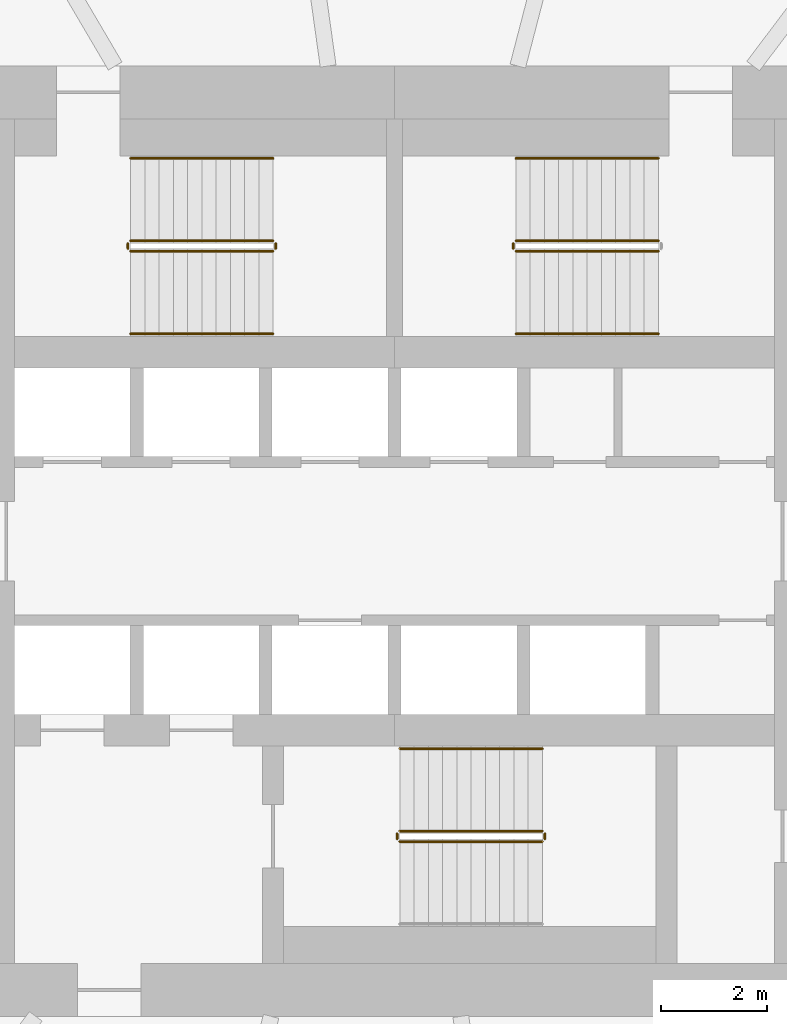
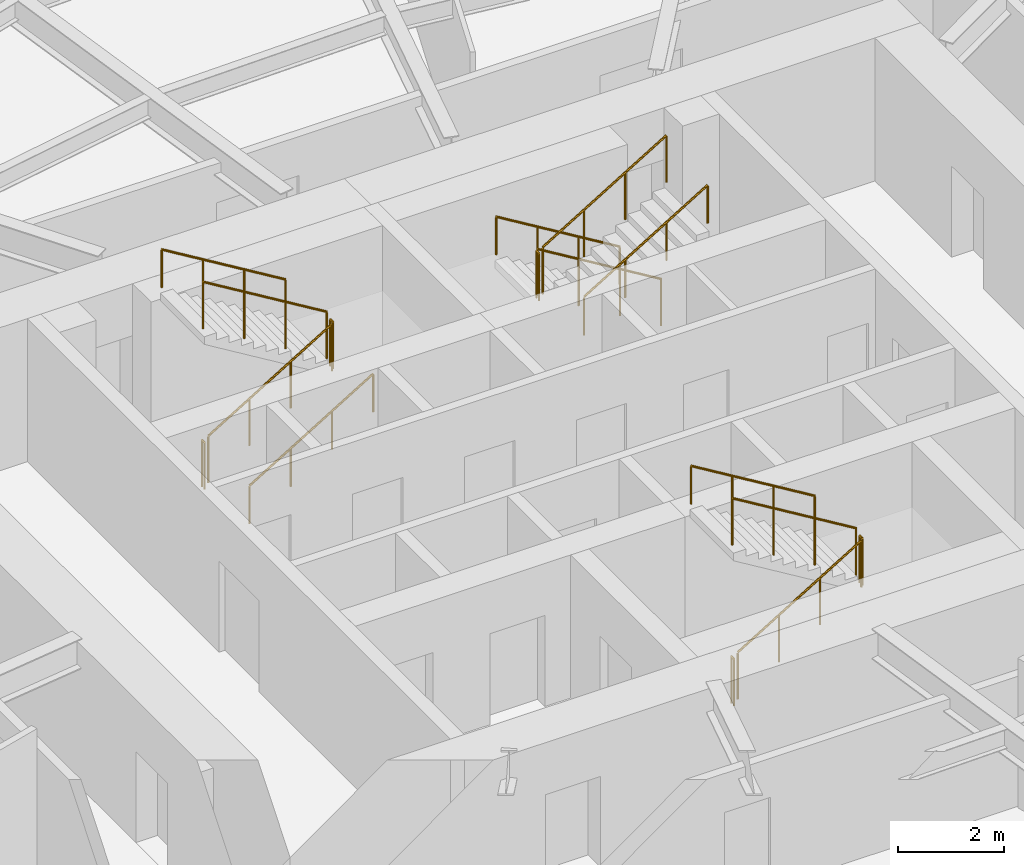
# One storey, part 13 of 16: 16 railings.
"""IFC4 building model written with IfcOpenShell, lengths in metres."""

import ifcopenshell
import ifcopenshell.guid

model = None  # the IFC model being written
_history = None  # IfcOwnerHistory: only IFC2X3 demands one
_inside = {}  # id of a spatial element -> (the spatial element, [elements in it])
_under = {}  # id of a project, library or spatial element -> (it, [spatial elements below it])
_declared = {}  # id of a project -> (the project, [libraries it declares])
_typed = {}  # id of a type object -> (the type object, [elements of that type])
_made_of = {}  # id of a material, layer set ... -> (it, [elements and type objects made of it])


def new_model(schema):
    """Start an empty IFC model of exactly this schema.

    Asked for "IFC4X3", IfcOpenShell would pick the latest addendum, in which some entities
    have other attributes; the version numbers below select the first issue.
    IFC2X3 requires an IfcOwnerHistory on every rooted entity: one is made here for all.
    """
    global model, _history
    if schema == "IFC4X3":
        model = ifcopenshell.file(schema_version=(4, 3, 0, 0))
    else:
        model = ifcopenshell.file(schema=schema)
    _inside.clear()
    _under.clear()
    _declared.clear()
    _typed.clear()
    _made_of.clear()
    _history = None
    if model.schema == "IFC2X3":
        org = make("IfcOrganization", Name="unknown")
        user = make(
            "IfcPersonAndOrganization",
            ThePerson=make("IfcPerson", FamilyName="unknown"),
            TheOrganization=org,
        )
        app = make(
            "IfcApplication",
            ApplicationDeveloper=org,
            Version="unknown",
            ApplicationFullName="unknown",
            ApplicationIdentifier="unknown",
        )
        _history = make(
            "IfcOwnerHistory",
            OwningUser=user,
            OwningApplication=app,
            ChangeAction="ADDED",
            CreationDate=0,
        )
    return model


def make(cls, **values):
    """One entity of the class cls with the attributes given. An attribute that is None is left unset."""
    return model.create_entity(
        cls, **{name: value for name, value in values.items() if value is not None}
    )


def rooted(cls, **values):
    """An entity with a GlobalId (a new one), such as an element, a storey or a relation."""
    return make(cls, GlobalId=ifcopenshell.guid.new(), OwnerHistory=_history, **values)


def si_unit(unit_type, name, prefix=None):
    """IfcSIUnit, for example si_unit("LENGTHUNIT", "METRE", prefix="MILLI")."""
    return make("IfcSIUnit", UnitType=unit_type, Prefix=prefix, Name=name)


def assignment(units):
    """IfcUnitAssignment: the units of a project."""
    return None if units is None else make("IfcUnitAssignment", Units=units)


def point(xyz):
    """IfcCartesianPoint."""
    return None if xyz is None else make("IfcCartesianPoint", Coordinates=xyz)


def direction(xyz):
    """IfcDirection."""
    return None if xyz is None else make("IfcDirection", DirectionRatios=xyz)


def frame(location, z_axis=None, x_axis=None):
    """IfcAxis2Placement3D, a coordinate frame: its origin and axes. An axis left out is left unset."""
    return make(
        "IfcAxis2Placement3D",
        Location=point(location),
        Axis=direction(z_axis),
        RefDirection=direction(x_axis),
    )


def frame_2d(location, x_axis=None):
    """IfcAxis2Placement2D, a coordinate frame in the plane: its origin and x axis."""
    return make(
        "IfcAxis2Placement2D", Location=point(location), RefDirection=direction(x_axis)
    )


def origin():
    """The frame at (0, 0, 0) with its axes left unset."""
    return frame((0.0, 0.0, 0.0))


def origin_2d():
    """The frame at (0, 0) in the plane with its x axis left unset."""
    return frame_2d((0.0, 0.0))


def place(relative_to, where):
    """IfcLocalPlacement: puts the frame where relative to a parent placement (None: the world)."""
    return make(
        "IfcLocalPlacement", PlacementRelTo=relative_to, RelativePlacement=where
    )


def context(
    kind, dimensions, precision=None, world=None, true_north=None, identifier=None
):
    """IfcGeometricRepresentationContext, for example the 3D "Model" context."""
    return make(
        "IfcGeometricRepresentationContext",
        ContextIdentifier=identifier,
        ContextType=kind,
        CoordinateSpaceDimension=dimensions,
        Precision=precision,
        WorldCoordinateSystem=world,
        TrueNorth=true_north,
    )


def subcontext(parent, identifier, kind, view, scale=None):
    """IfcGeometricRepresentationSubContext, for example "Body" below "Model"."""
    return make(
        "IfcGeometricRepresentationSubContext",
        ContextIdentifier=identifier,
        ContextType=kind,
        ParentContext=parent,
        TargetScale=scale,
        TargetView=view,
    )


def project(units=None, contexts=None):
    """IfcProject with its units and contexts."""
    return rooted(
        "IfcProject",
        Name="project",
        RepresentationContexts=contexts,
        UnitsInContext=assignment(units),
    )


def spatial(cls, under=None, at=None, **own):
    """A site, building, storey or space (cls), placed at a placement, below another one or the project."""
    s = rooted(cls, ObjectPlacement=at, **own)
    if under is not None:
        _under.setdefault(under.id(), (under, []))[1].append(s)
    return s


def profile(cls, at=None, kind="AREA", **sizes):
    """A parametric profile (cls). Its sizes go by their IFC names, for example OverallWidth=200.0."""
    return make(cls, ProfileType=kind, Position=at, **sizes)


def circle(**sizes):
    """IfcCircleProfileDef."""
    return profile("IfcCircleProfileDef", **sizes)


def extrude(swept, where, along, depth):
    """IfcExtrudedAreaSolid: the profile swept, set in the frame where, extruded along a direction by depth."""
    return make(
        "IfcExtrudedAreaSolid",
        SweptArea=swept,
        Position=where,
        ExtrudedDirection=direction(along),
        Depth=depth,
    )


def shape(context_of_items, identifier, shape_type, items):
    """IfcShapeRepresentation: the items that make up one representation, for example the "Body"."""
    return make(
        "IfcShapeRepresentation",
        ContextOfItems=context_of_items,
        RepresentationIdentifier=identifier,
        RepresentationType=shape_type,
        Items=items,
    )


def material(Name=None, Category=None):
    """IfcMaterial."""
    return make("IfcMaterial", Name=Name, Category=Category)


def made_of(thing, what):
    """Note that an element or type object is made of a material, layer set ...; save() writes the relation."""
    if what is not None:
        _made_of.setdefault(what.id(), (what, []))[1].append(thing)
    return thing


def type_object(cls, material=None, **own):
    """A type object (cls), such as IfcWallType, which elements share."""
    return made_of(rooted(cls, **own), material)


def element(
    cls,
    number,
    at=None,
    inside=None,
    cuts=None,
    type_object=None,
    material=None,
    context=None,
    identifier="Body",
    shape_type=None,
    held_by="IfcProductDefinitionShape",
    body=None,
    shapes=None,
    **own,
):
    """One element of the class cls, such as IfcWall. Its Tag is "e" and its number.

    at: its placement. inside: the storey or other place that contains it. cuts: it is an
    opening in that element (IfcRelVoidsElement). A single representation is given by context,
    identifier, shape_type and body (its items); several are given by shapes. held_by: the class
    of the entity that holds the representations. save() writes the other relations.
    """
    e = rooted(cls, Tag="e%d" % number, ObjectPlacement=at, **own)
    if body is not None:
        shapes = [shape(context, identifier, shape_type, body)]
    if shapes is not None:
        e.Representation = make(held_by, Representations=shapes)
    if inside is not None:
        _inside.setdefault(inside.id(), (inside, []))[1].append(e)
    if cuts is not None:
        rooted(
            "IfcRelVoidsElement", RelatingBuildingElement=cuts, RelatedOpeningElement=e
        )
    if type_object is not None:
        _typed.setdefault(type_object.id(), (type_object, []))[1].append(e)
    return made_of(e, material)


def aggregate(whole, parts):
    """IfcRelAggregates: a whole, such as a stair, and the parts it consists of."""
    return rooted("IfcRelAggregates", RelatingObject=whole, RelatedObjects=parts)


def save(model, path):
    """Write the relations noted so far, then the file.

    IfcRelAggregates (storeys below a building ...), IfcRelContainedInSpatialStructure (elements
    in a storey), IfcRelDefinesByType, IfcRelAssociatesMaterial and IfcRelDeclares: one each for
    every whole, place, type object, material and project.
    """
    for whole, parts in _under.values():
        aggregate(whole, parts)
    for where, things in _inside.values():
        rooted(
            "IfcRelContainedInSpatialStructure",
            RelatedElements=things,
            RelatingStructure=where,
        )
    for kind, things in _typed.values():
        rooted("IfcRelDefinesByType", RelatedObjects=things, RelatingType=kind)
    for what, things in _made_of.values():
        rooted("IfcRelAssociatesMaterial", RelatedObjects=things, RelatingMaterial=what)
    for by, libraries in _declared.values():
        rooted("IfcRelDeclares", RelatingContext=by, RelatedDefinitions=libraries)
    model.write(path)


model = new_model("IFC4")

# Units and contexts
model_context = context("Model", 3, precision=1e-05, world=origin(), true_north=direction((0.0, 1.0)))
body_context = subcontext(model_context, "Body", "Model", "MODEL_VIEW")
ifc_project = project(units=[si_unit("LENGTHUNIT", "METRE"), si_unit("AREAUNIT", "SQUARE_METRE"), si_unit("VOLUMEUNIT", "CUBIC_METRE"), si_unit("PLANEANGLEUNIT", "RADIAN"), si_unit("MASSUNIT", "GRAM", prefix="KILO")], contexts=[model_context])

# Site, building, storey
site_placement = place(None, origin())
site = spatial("IfcSite", under=ifc_project, at=site_placement, CompositionType="ELEMENT")
building_placement = place(site_placement, origin())
building = spatial("IfcBuilding", under=site, at=building_placement, Name="Vermilion Reach Broadcast Tower", CompositionType="ELEMENT")
storey_placement = place(building_placement, frame((0.0, 0.0, 95.800048828125)))
storey = spatial("IfcBuildingStorey", under=building, at=storey_placement, Name="L21", CompositionType="ELEMENT", Elevation=95.800048828125)

# Railings
ifc_material_1 = material(Name="Stainless steel", Category="steel")
railing_type_1 = type_object("IfcRailingType", Name="Stair guard 1100", PredefinedType="GUARDRAIL", material=ifc_material_1)
railing_1_placement = place(storey_placement, frame((-11.0, 5.489990234375, 0.16357421875)))
element("IfcRailing", 1, at=railing_1_placement, inside=storey, type_object=railing_type_1, Name="L21 ST1 stair guard 1", PredefinedType="GUARDRAIL", context=body_context, shape_type="SweptSolid", body=[
    extrude(circle(Radius=0.02392578125, at=origin_2d()), frame((0.0, 0.0, 1.076171875), z_axis=(0.855178096276, 0.0, 0.518334277904), x_axis=(0.0, 1.0, 0.0)), (0.0, 0.0, 1.0), 3.1572265625),
    extrude(circle(Radius=0.02099609375, at=origin_2d()), origin(), (0.0, 0.0, 1.0), 1.052001953125),
    extrude(circle(Radius=0.02099609375, at=origin_2d()), frame((0.89990234375, 0.0, 0.54541015625)), (0.0, 0.0, 1.0), 1.052001953125),
    extrude(circle(Radius=0.02099609375, at=origin_2d()), frame((1.800048828125, 0.0, 1.091064453125)), (0.0, 0.0, 1.0), 1.052001953125),
    extrude(circle(Radius=0.02099609375, at=origin_2d()), frame((2.699951171875, 0.0, 1.636474609375)), (0.0, 0.0, 1.0), 1.052001953125),
])
railing_2_placement = place(storey_placement, frame((-8.25, 5.5400390625, 1.800048828125)))
element("IfcRailing", 2, at=railing_2_placement, inside=storey, type_object=railing_type_1, Name="L21 ST1 stair guard 2", PredefinedType="GUARDRAIL", context=body_context, shape_type="SweptSolid", body=[
    extrude(circle(Radius=0.02392578125, at=origin_2d()), frame((0.0, 0.0, 1.076171875), z_axis=(0.0, 1.0, 0.0), x_axis=(-1.0, 0.0, 0.0)), (0.0, 0.0, 1.0), 0.099853515625),
    extrude(circle(Radius=0.02099609375, at=origin_2d()), origin(), (0.0, 0.0, 1.0), 1.052001953125),
    extrude(circle(Radius=0.02099609375, at=origin_2d()), frame((0.0, 0.099853515625, 0.0)), (0.0, 0.0, 1.0), 1.052001953125),
])
railing_3_placement = place(storey_placement, frame((-8.300048828125, 5.68994140625, 1.963623046875)))
element("IfcRailing", 3, at=railing_3_placement, inside=storey, type_object=railing_type_1, Name="L21 ST1 stair guard 3", PredefinedType="GUARDRAIL", context=body_context, shape_type="SweptSolid", body=[
    extrude(circle(Radius=0.02392578125, at=origin_2d()), frame((0.0, 0.0, 1.076171875), z_axis=(-0.855212373127, 0.0, 0.518277721738), x_axis=(0.0, -1.0, 0.0)), (0.0, 0.0, 1.0), 3.156982421875),
    extrude(circle(Radius=0.02099609375, at=origin_2d()), origin(), (0.0, 0.0, 1.0), 1.052001953125),
    extrude(circle(Radius=0.02099609375, at=origin_2d()), frame((-0.89990234375, 0.0, 0.54541015625)), (0.0, 0.0, 1.0), 1.052001953125),
    extrude(circle(Radius=0.02099609375, at=origin_2d()), frame((-1.800048828125, 0.0, 1.0908203125)), (0.0, 0.0, 1.0), 1.052001953125),
    extrude(circle(Radius=0.02099609375, at=origin_2d()), frame((-2.699951171875, 0.0, 1.63623046875)), (0.0, 0.0, 1.0), 1.052001953125),
])
railing_4_placement = place(storey_placement, frame((-11.050048828125, 5.5400390625, 0.0)))
element("IfcRailing", 4, at=railing_4_placement, inside=storey, type_object=railing_type_1, Name="L21 ST1 stair guard 4", PredefinedType="GUARDRAIL", context=body_context, shape_type="SweptSolid", body=[
    extrude(circle(Radius=0.02392578125, at=origin_2d()), frame((0.0, 0.0, 1.076171875), z_axis=(0.0, 1.0, 0.0), x_axis=(-1.0, 0.0, 0.0)), (0.0, 0.0, 1.0), 0.099853515625),
    extrude(circle(Radius=0.02099609375, at=origin_2d()), origin(), (0.0, 0.0, 1.0), 1.052001953125),
    extrude(circle(Radius=0.02099609375, at=origin_2d()), frame((0.0, 0.099853515625, 0.0)), (0.0, 0.0, 1.0), 1.052001953125),
])
railing_5_placement = place(storey_placement, frame((-1.0, 5.68994140625, 0.16357421875)))
element("IfcRailing", 5, at=railing_5_placement, inside=storey, type_object=railing_type_1, Name="L21 ST2 stair guard 1", PredefinedType="GUARDRAIL", context=body_context, shape_type="SweptSolid", body=[
    extrude(circle(Radius=0.02392578125, at=origin_2d()), frame((0.0, 0.0, 1.076171875), z_axis=(-0.855178096276, 0.0, 0.518334277904), x_axis=(0.0, -1.0, 0.0)), (0.0, 0.0, 1.0), 3.1572265625),
    extrude(circle(Radius=0.02099609375, at=origin_2d()), origin(), (0.0, 0.0, 1.0), 1.052001953125),
    extrude(circle(Radius=0.02099609375, at=origin_2d()), frame((-0.89990234375, 0.0, 0.54541015625)), (0.0, 0.0, 1.0), 1.052001953125),
    extrude(circle(Radius=0.02099609375, at=origin_2d()), frame((-1.800048828125, 0.0, 1.091064453125)), (0.0, 0.0, 1.0), 1.052001953125),
    extrude(circle(Radius=0.02099609375, at=origin_2d()), frame((-2.699951171875, 0.0, 1.636474609375)), (0.0, 0.0, 1.0), 1.052001953125),
])
railing_6_placement = place(storey_placement, frame((-3.75, 5.639892578125, 1.800048828125)))
element("IfcRailing", 6, at=railing_6_placement, inside=storey, type_object=railing_type_1, Name="L21 ST2 stair guard 2", PredefinedType="GUARDRAIL", context=body_context, shape_type="SweptSolid", body=[
    extrude(circle(Radius=0.02392578125, at=origin_2d()), frame((0.0, 0.0, 1.076171875), z_axis=(0.0, -1.0, 0.0), x_axis=(1.0, 0.0, 0.0)), (0.0, 0.0, 1.0), 0.099853515625),
    extrude(circle(Radius=0.02099609375, at=origin_2d()), origin(), (0.0, 0.0, 1.0), 1.052001953125),
    extrude(circle(Radius=0.02099609375, at=origin_2d()), frame((0.0, -0.099853515625, 0.0)), (0.0, 0.0, 1.0), 1.052001953125),
])
railing_7_placement = place(storey_placement, frame((-3.699951171875, 5.489990234375, 1.963623046875)))
element("IfcRailing", 7, at=railing_7_placement, inside=storey, type_object=railing_type_1, Name="L21 ST2 stair guard 3", PredefinedType="GUARDRAIL", context=body_context, shape_type="SweptSolid", body=[
    extrude(circle(Radius=0.02392578125, at=origin_2d()), frame((0.0, 0.0, 1.076171875), z_axis=(0.855212373127, 0.0, 0.518277721738), x_axis=(0.0, 1.0, 0.0)), (0.0, 0.0, 1.0), 3.156982421875),
    extrude(circle(Radius=0.02099609375, at=origin_2d()), origin(), (0.0, 0.0, 1.0), 1.052001953125),
    extrude(circle(Radius=0.02099609375, at=origin_2d()), frame((0.89990234375, 0.0, 0.54541015625)), (0.0, 0.0, 1.0), 1.052001953125),
    extrude(circle(Radius=0.02099609375, at=origin_2d()), frame((1.800048828125, 0.0, 1.0908203125)), (0.0, 0.0, 1.0), 1.052001953125),
    extrude(circle(Radius=0.02099609375, at=origin_2d()), frame((2.699951171875, 0.0, 1.63623046875)), (0.0, 0.0, 1.0), 1.052001953125),
])
railing_8_placement = place(storey_placement, frame((-5.89990234375, -5.68994140625, 0.16357421875)))
element("IfcRailing", 8, at=railing_8_placement, inside=storey, type_object=railing_type_1, Name="L21 ST3 stair guard 1", PredefinedType="GUARDRAIL", context=body_context, shape_type="SweptSolid", body=[
    extrude(circle(Radius=0.02392578125, at=origin_2d()), frame((0.0, 0.0, 1.076171875), z_axis=(0.855178096276, 0.0, 0.518334277904), x_axis=(0.0, 1.0, 0.0)), (0.0, 0.0, 1.0), 3.1572265625),
    extrude(circle(Radius=0.02099609375, at=origin_2d()), origin(), (0.0, 0.0, 1.0), 1.052001953125),
    extrude(circle(Radius=0.02099609375, at=origin_2d()), frame((0.89990234375, 0.0, 0.54541015625)), (0.0, 0.0, 1.0), 1.052001953125),
    extrude(circle(Radius=0.02099609375, at=origin_2d()), frame((1.800048828125, 0.0, 1.091064453125)), (0.0, 0.0, 1.0), 1.052001953125),
    extrude(circle(Radius=0.02099609375, at=origin_2d()), frame((2.699951171875, 0.0, 1.636474609375)), (0.0, 0.0, 1.0), 1.052001953125),
])
railing_9_placement = place(storey_placement, frame((-3.14990234375, -5.639892578125, 1.800048828125)))
element("IfcRailing", 9, at=railing_9_placement, inside=storey, type_object=railing_type_1, Name="L21 ST3 stair guard 2", PredefinedType="GUARDRAIL", context=body_context, shape_type="SweptSolid", body=[
    extrude(circle(Radius=0.02392578125, at=origin_2d()), frame((0.0, 0.0, 1.076171875), z_axis=(0.0, 1.0, 0.0), x_axis=(-1.0, 0.0, 0.0)), (0.0, 0.0, 1.0), 0.099853515625),
    extrude(circle(Radius=0.02099609375, at=origin_2d()), origin(), (0.0, 0.0, 1.0), 1.052001953125),
    extrude(circle(Radius=0.02099609375, at=origin_2d()), frame((0.0, 0.099853515625, 0.0)), (0.0, 0.0, 1.0), 1.052001953125),
])
railing_10_placement = place(storey_placement, frame((-3.199951171875, -5.489990234375, 1.963623046875)))
element("IfcRailing", 10, at=railing_10_placement, inside=storey, type_object=railing_type_1, Name="L21 ST3 stair guard 3", PredefinedType="GUARDRAIL", context=body_context, shape_type="SweptSolid", body=[
    extrude(circle(Radius=0.02392578125, at=origin_2d()), frame((0.0, 0.0, 1.076171875), z_axis=(-0.855212373127, 0.0, 0.518277721738), x_axis=(0.0, -1.0, 0.0)), (0.0, 0.0, 1.0), 3.156982421875),
    extrude(circle(Radius=0.02099609375, at=origin_2d()), origin(), (0.0, 0.0, 1.0), 1.052001953125),
    extrude(circle(Radius=0.02099609375, at=origin_2d()), frame((-0.89990234375, 0.0, 0.54541015625)), (0.0, 0.0, 1.0), 1.052001953125),
    extrude(circle(Radius=0.02099609375, at=origin_2d()), frame((-1.800048828125, 0.0, 1.0908203125)), (0.0, 0.0, 1.0), 1.052001953125),
    extrude(circle(Radius=0.02099609375, at=origin_2d()), frame((-2.699951171875, 0.0, 1.63623046875)), (0.0, 0.0, 1.0), 1.052001953125),
])
railing_11_placement = place(storey_placement, frame((-5.949951171875, -5.639892578125, 0.0)))
element("IfcRailing", 11, at=railing_11_placement, inside=storey, type_object=railing_type_1, Name="L21 ST3 stair guard 4", PredefinedType="GUARDRAIL", context=body_context, shape_type="SweptSolid", body=[
    extrude(circle(Radius=0.02392578125, at=origin_2d()), frame((0.0, 0.0, 1.076171875), z_axis=(0.0, 1.0, 0.0), x_axis=(-1.0, 0.0, 0.0)), (0.0, 0.0, 1.0), 0.099853515625),
    extrude(circle(Radius=0.02099609375, at=origin_2d()), origin(), (0.0, 0.0, 1.0), 1.052001953125),
    extrude(circle(Radius=0.02099609375, at=origin_2d()), frame((0.0, 0.099853515625, 0.0)), (0.0, 0.0, 1.0), 1.052001953125),
])
ifc_material_2 = material(Name="Stainless steel", Category="steel")
railing_type_2 = type_object("IfcRailingType", Name="Stair handrail", PredefinedType="HANDRAIL", material=ifc_material_2)
railing_12_placement = place(storey_placement, frame((-11.0, 3.929931640625, 0.16357421875)))
element("IfcRailing", 12, at=railing_12_placement, inside=storey, type_object=railing_type_2, Name="L21 ST1 stair handrail 1", PredefinedType="HANDRAIL", context=body_context, shape_type="SweptSolid", body=[
    extrude(circle(Radius=0.02392578125, at=origin_2d()), frame((0.0, 0.0, 0.8759765625), z_axis=(0.855178096276, 0.0, 0.518334277904), x_axis=(0.0, 1.0, 0.0)), (0.0, 0.0, 1.0), 3.1572265625),
    extrude(circle(Radius=0.02099609375, at=origin_2d()), origin(), (0.0, 0.0, 1.0), 0.851806640625),
    extrude(circle(Radius=0.02099609375, at=origin_2d()), frame((0.89990234375, 0.0, 0.54541015625)), (0.0, 0.0, 1.0), 0.851806640625),
    extrude(circle(Radius=0.02099609375, at=origin_2d()), frame((1.800048828125, 0.0, 1.091064453125)), (0.0, 0.0, 1.0), 0.851806640625),
    extrude(circle(Radius=0.02099609375, at=origin_2d()), frame((2.699951171875, 0.0, 1.636474609375)), (0.0, 0.0, 1.0), 0.851806640625),
])
railing_13_placement = place(storey_placement, frame((-8.300048828125, 7.25, 1.963623046875)))
element("IfcRailing", 13, at=railing_13_placement, inside=storey, type_object=railing_type_2, Name="L21 ST1 stair handrail 2", PredefinedType="HANDRAIL", context=body_context, shape_type="SweptSolid", body=[
    extrude(circle(Radius=0.02392578125, at=origin_2d()), frame((0.0, 0.0, 0.8759765625), z_axis=(-0.855212373127, 0.0, 0.518277721738), x_axis=(0.0, -1.0, 0.0)), (0.0, 0.0, 1.0), 3.156982421875),
    extrude(circle(Radius=0.02099609375, at=origin_2d()), origin(), (0.0, 0.0, 1.0), 0.851806640625),
    extrude(circle(Radius=0.02099609375, at=origin_2d()), frame((-0.89990234375, 0.0, 0.54541015625)), (0.0, 0.0, 1.0), 0.851806640625),
    extrude(circle(Radius=0.02099609375, at=origin_2d()), frame((-1.800048828125, 0.0, 1.0908203125)), (0.0, 0.0, 1.0), 0.851806640625),
    extrude(circle(Radius=0.02099609375, at=origin_2d()), frame((-2.699951171875, 0.0, 1.63623046875)), (0.0, 0.0, 1.0), 0.851806640625),
])
railing_14_placement = place(storey_placement, frame((-1.0, 7.25, 0.16357421875)))
element("IfcRailing", 14, at=railing_14_placement, inside=storey, type_object=railing_type_2, Name="L21 ST2 stair handrail 1", PredefinedType="HANDRAIL", context=body_context, shape_type="SweptSolid", body=[
    extrude(circle(Radius=0.02392578125, at=origin_2d()), frame((0.0, 0.0, 0.8759765625), z_axis=(-0.855178096276, 0.0, 0.518334277904), x_axis=(0.0, -1.0, 0.0)), (0.0, 0.0, 1.0), 3.1572265625),
    extrude(circle(Radius=0.02099609375, at=origin_2d()), origin(), (0.0, 0.0, 1.0), 0.851806640625),
    extrude(circle(Radius=0.02099609375, at=origin_2d()), frame((-0.89990234375, 0.0, 0.54541015625)), (0.0, 0.0, 1.0), 0.851806640625),
    extrude(circle(Radius=0.02099609375, at=origin_2d()), frame((-1.800048828125, 0.0, 1.091064453125)), (0.0, 0.0, 1.0), 0.851806640625),
    extrude(circle(Radius=0.02099609375, at=origin_2d()), frame((-2.699951171875, 0.0, 1.636474609375)), (0.0, 0.0, 1.0), 0.851806640625),
])
railing_15_placement = place(storey_placement, frame((-3.699951171875, 3.929931640625, 1.963623046875)))
element("IfcRailing", 15, at=railing_15_placement, inside=storey, type_object=railing_type_2, Name="L21 ST2 stair handrail 2", PredefinedType="HANDRAIL", context=body_context, shape_type="SweptSolid", body=[
    extrude(circle(Radius=0.02392578125, at=origin_2d()), frame((0.0, 0.0, 0.8759765625), z_axis=(0.855212373127, 0.0, 0.518277721738), x_axis=(0.0, 1.0, 0.0)), (0.0, 0.0, 1.0), 3.156982421875),
    extrude(circle(Radius=0.02099609375, at=origin_2d()), origin(), (0.0, 0.0, 1.0), 0.851806640625),
    extrude(circle(Radius=0.02099609375, at=origin_2d()), frame((0.89990234375, 0.0, 0.54541015625)), (0.0, 0.0, 1.0), 0.851806640625),
    extrude(circle(Radius=0.02099609375, at=origin_2d()), frame((1.800048828125, 0.0, 1.0908203125)), (0.0, 0.0, 1.0), 0.851806640625),
    extrude(circle(Radius=0.02099609375, at=origin_2d()), frame((2.699951171875, 0.0, 1.63623046875)), (0.0, 0.0, 1.0), 0.851806640625),
])
railing_16_placement = place(storey_placement, frame((-3.199951171875, -3.929931640625, 1.963623046875)))
element("IfcRailing", 16, at=railing_16_placement, inside=storey, type_object=railing_type_2, Name="L21 ST3 stair handrail 2", PredefinedType="HANDRAIL", context=body_context, shape_type="SweptSolid", body=[
    extrude(circle(Radius=0.02392578125, at=origin_2d()), frame((0.0, 0.0, 0.8759765625), z_axis=(-0.855212373127, 0.0, 0.518277721738), x_axis=(0.0, -1.0, 0.0)), (0.0, 0.0, 1.0), 3.156982421875),
    extrude(circle(Radius=0.02099609375, at=origin_2d()), origin(), (0.0, 0.0, 1.0), 0.851806640625),
    extrude(circle(Radius=0.02099609375, at=origin_2d()), frame((-0.89990234375, 0.0, 0.54541015625)), (0.0, 0.0, 1.0), 0.851806640625),
    extrude(circle(Radius=0.02099609375, at=origin_2d()), frame((-1.800048828125, 0.0, 1.0908203125)), (0.0, 0.0, 1.0), 0.851806640625),
    extrude(circle(Radius=0.02099609375, at=origin_2d()), frame((-2.699951171875, 0.0, 1.63623046875)), (0.0, 0.0, 1.0), 0.851806640625),
])

save(model, "model.ifc")
